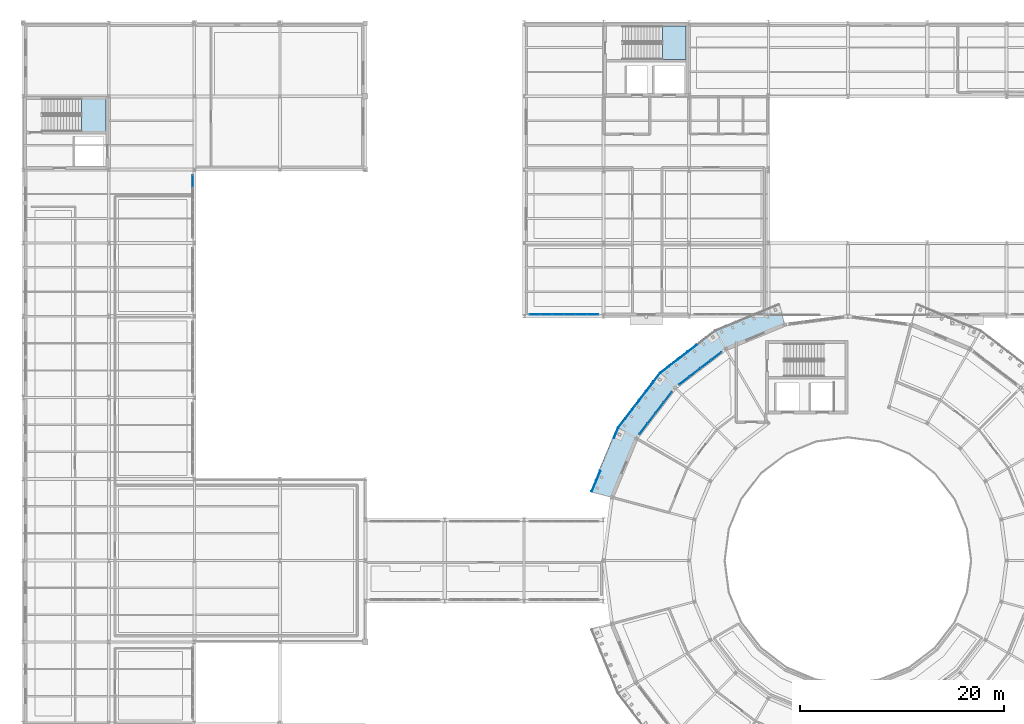
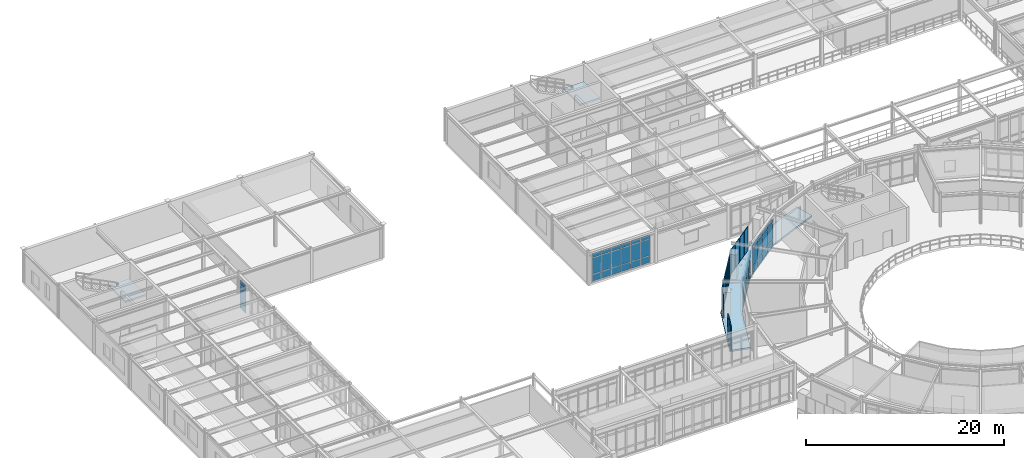
# One storey, part 63 of 90: 58 plates, 3 slabs, 6 elements without a shape of their own.
"""IFC4 building model written with IfcOpenShell, lengths in metres."""

import ifcopenshell
import ifcopenshell.guid

model = None  # the IFC model being written
_history = None  # IfcOwnerHistory: only IFC2X3 demands one
_inside = {}  # id of a spatial element -> (the spatial element, [elements in it])
_under = {}  # id of a project, library or spatial element -> (it, [spatial elements below it])
_declared = {}  # id of a project -> (the project, [libraries it declares])
_typed = {}  # id of a type object -> (the type object, [elements of that type])
_made_of = {}  # id of a material, layer set ... -> (it, [elements and type objects made of it])


def new_model(schema):
    """Start an empty IFC model of exactly this schema.

    Asked for "IFC4X3", IfcOpenShell would pick the latest addendum, in which some entities
    have other attributes; the version numbers below select the first issue.
    IFC2X3 requires an IfcOwnerHistory on every rooted entity: one is made here for all.
    """
    global model, _history
    if schema == "IFC4X3":
        model = ifcopenshell.file(schema_version=(4, 3, 0, 0))
    else:
        model = ifcopenshell.file(schema=schema)
    _inside.clear()
    _under.clear()
    _declared.clear()
    _typed.clear()
    _made_of.clear()
    _history = None
    if model.schema == "IFC2X3":
        org = make("IfcOrganization", Name="unknown")
        user = make(
            "IfcPersonAndOrganization",
            ThePerson=make("IfcPerson", FamilyName="unknown"),
            TheOrganization=org,
        )
        app = make(
            "IfcApplication",
            ApplicationDeveloper=org,
            Version="unknown",
            ApplicationFullName="unknown",
            ApplicationIdentifier="unknown",
        )
        _history = make(
            "IfcOwnerHistory",
            OwningUser=user,
            OwningApplication=app,
            ChangeAction="ADDED",
            CreationDate=0,
        )
    return model


def make(cls, **values):
    """One entity of the class cls with the attributes given. An attribute that is None is left unset."""
    return model.create_entity(
        cls, **{name: value for name, value in values.items() if value is not None}
    )


def rooted(cls, **values):
    """An entity with a GlobalId (a new one), such as an element, a storey or a relation."""
    return make(cls, GlobalId=ifcopenshell.guid.new(), OwnerHistory=_history, **values)


def si_unit(unit_type, name, prefix=None):
    """IfcSIUnit, for example si_unit("LENGTHUNIT", "METRE", prefix="MILLI")."""
    return make("IfcSIUnit", UnitType=unit_type, Prefix=prefix, Name=name)


def derived_unit(unit_type, elements):
    """IfcDerivedUnit: a product of units, each with its exponent."""
    return make(
        "IfcDerivedUnit",
        Elements=[
            make("IfcDerivedUnitElement", Unit=unit, Exponent=power)
            for unit, power in elements
        ],
        UnitType=unit_type,
    )


def assignment(units):
    """IfcUnitAssignment: the units of a project."""
    return None if units is None else make("IfcUnitAssignment", Units=units)


def point(xyz):
    """IfcCartesianPoint."""
    return None if xyz is None else make("IfcCartesianPoint", Coordinates=xyz)


def direction(xyz):
    """IfcDirection."""
    return None if xyz is None else make("IfcDirection", DirectionRatios=xyz)


def frame(location, z_axis=None, x_axis=None):
    """IfcAxis2Placement3D, a coordinate frame: its origin and axes. An axis left out is left unset."""
    return make(
        "IfcAxis2Placement3D",
        Location=point(location),
        Axis=direction(z_axis),
        RefDirection=direction(x_axis),
    )


def frame_2d(location, x_axis=None):
    """IfcAxis2Placement2D, a coordinate frame in the plane: its origin and x axis."""
    return make(
        "IfcAxis2Placement2D", Location=point(location), RefDirection=direction(x_axis)
    )


def origin():
    """The frame at (0, 0, 0) with its axes left unset."""
    return frame((0.0, 0.0, 0.0))


def origin_2d():
    """The frame at (0, 0) in the plane with its x axis left unset."""
    return frame_2d((0.0, 0.0))


def place(relative_to, where):
    """IfcLocalPlacement: puts the frame where relative to a parent placement (None: the world)."""
    return make(
        "IfcLocalPlacement", PlacementRelTo=relative_to, RelativePlacement=where
    )


def context(
    kind, dimensions, precision=None, world=None, true_north=None, identifier=None
):
    """IfcGeometricRepresentationContext, for example the 3D "Model" context."""
    return make(
        "IfcGeometricRepresentationContext",
        ContextIdentifier=identifier,
        ContextType=kind,
        CoordinateSpaceDimension=dimensions,
        Precision=precision,
        WorldCoordinateSystem=world,
        TrueNorth=true_north,
    )


def subcontext(parent, identifier, kind, view, scale=None):
    """IfcGeometricRepresentationSubContext, for example "Body" below "Model"."""
    return make(
        "IfcGeometricRepresentationSubContext",
        ContextIdentifier=identifier,
        ContextType=kind,
        ParentContext=parent,
        TargetScale=scale,
        TargetView=view,
    )


def project(units=None, contexts=None):
    """IfcProject with its units and contexts."""
    return rooted(
        "IfcProject",
        Name="project",
        RepresentationContexts=contexts,
        UnitsInContext=assignment(units),
    )


def spatial(cls, under=None, at=None, **own):
    """A site, building, storey or space (cls), placed at a placement, below another one or the project."""
    s = rooted(cls, ObjectPlacement=at, **own)
    if under is not None:
        _under.setdefault(under.id(), (under, []))[1].append(s)
    return s


def polyline(points):
    """IfcPolyline through the points."""
    return make("IfcPolyline", Points=[point(p) for p in points])


def profile(cls, at=None, kind="AREA", **sizes):
    """A parametric profile (cls). Its sizes go by their IFC names, for example OverallWidth=200.0."""
    return make(cls, ProfileType=kind, Position=at, **sizes)


def rectangle(**sizes):
    """IfcRectangleProfileDef."""
    return profile("IfcRectangleProfileDef", **sizes)


def outline(outer, holes=None, kind="AREA"):
    """IfcArbitraryClosedProfileDef: a profile drawn as a closed curve; with holes, ...WithVoids."""
    if holes is None:
        return make("IfcArbitraryClosedProfileDef", ProfileType=kind, OuterCurve=outer)
    return make(
        "IfcArbitraryProfileDefWithVoids",
        ProfileType=kind,
        OuterCurve=outer,
        InnerCurves=holes,
    )


def extrude(swept, where, along, depth):
    """IfcExtrudedAreaSolid: the profile swept, set in the frame where, extruded along a direction by depth."""
    return make(
        "IfcExtrudedAreaSolid",
        SweptArea=swept,
        Position=where,
        ExtrudedDirection=direction(along),
        Depth=depth,
    )


def shape(context_of_items, identifier, shape_type, items):
    """IfcShapeRepresentation: the items that make up one representation, for example the "Body"."""
    return make(
        "IfcShapeRepresentation",
        ContextOfItems=context_of_items,
        RepresentationIdentifier=identifier,
        RepresentationType=shape_type,
        Items=items,
    )


def material(Name=None, Category=None):
    """IfcMaterial."""
    return make("IfcMaterial", Name=Name, Category=Category)


def layer(
    of_material, thickness, ventilated=None, Name=None, Category=None, Priority=None
):
    """IfcMaterialLayer: one layer of a wall or slab, of a material (None: an air gap)."""
    return make(
        "IfcMaterialLayer",
        Material=of_material,
        LayerThickness=thickness,
        IsVentilated=ventilated,
        Name=Name,
        Category=Category,
        Priority=Priority,
    )


def layer_set(layers, Name=None):
    """IfcMaterialLayerSet."""
    return make("IfcMaterialLayerSet", MaterialLayers=layers, LayerSetName=Name)


def made_of(thing, what):
    """Note that an element or type object is made of a material, layer set ...; save() writes the relation."""
    if what is not None:
        _made_of.setdefault(what.id(), (what, []))[1].append(thing)
    return thing


def type_object(cls, material=None, **own):
    """A type object (cls), such as IfcWallType, which elements share."""
    return made_of(rooted(cls, **own), material)


def element(
    cls,
    number,
    at=None,
    inside=None,
    cuts=None,
    type_object=None,
    material=None,
    context=None,
    identifier="Body",
    shape_type=None,
    held_by="IfcProductDefinitionShape",
    body=None,
    shapes=None,
    **own,
):
    """One element of the class cls, such as IfcWall. Its Tag is "e" and its number.

    at: its placement. inside: the storey or other place that contains it. cuts: it is an
    opening in that element (IfcRelVoidsElement). A single representation is given by context,
    identifier, shape_type and body (its items); several are given by shapes. held_by: the class
    of the entity that holds the representations. save() writes the other relations.
    """
    e = rooted(cls, Tag="e%d" % number, ObjectPlacement=at, **own)
    if body is not None:
        shapes = [shape(context, identifier, shape_type, body)]
    if shapes is not None:
        e.Representation = make(held_by, Representations=shapes)
    if inside is not None:
        _inside.setdefault(inside.id(), (inside, []))[1].append(e)
    if cuts is not None:
        rooted(
            "IfcRelVoidsElement", RelatingBuildingElement=cuts, RelatedOpeningElement=e
        )
    if type_object is not None:
        _typed.setdefault(type_object.id(), (type_object, []))[1].append(e)
    return made_of(e, material)


def aggregate(whole, parts):
    """IfcRelAggregates: a whole, such as a stair, and the parts it consists of."""
    return rooted("IfcRelAggregates", RelatingObject=whole, RelatedObjects=parts)


def save(model, path):
    """Write the relations noted so far, then the file.

    IfcRelAggregates (storeys below a building ...), IfcRelContainedInSpatialStructure (elements
    in a storey), IfcRelDefinesByType, IfcRelAssociatesMaterial and IfcRelDeclares: one each for
    every whole, place, type object, material and project.
    """
    for whole, parts in _under.values():
        aggregate(whole, parts)
    for where, things in _inside.values():
        rooted(
            "IfcRelContainedInSpatialStructure",
            RelatedElements=things,
            RelatingStructure=where,
        )
    for kind, things in _typed.values():
        rooted("IfcRelDefinesByType", RelatedObjects=things, RelatingType=kind)
    for what, things in _made_of.values():
        rooted("IfcRelAssociatesMaterial", RelatedObjects=things, RelatingMaterial=what)
    for by, libraries in _declared.values():
        rooted("IfcRelDeclares", RelatingContext=by, RelatedDefinitions=libraries)
    model.write(path)


model = new_model("IFC4")

# Units and contexts
model_context = context("Model", 3, precision=1e-05, world=origin(), true_north=direction((0.0, 1.0)))
body_context = subcontext(model_context, "Body", "Model", "MODEL_VIEW")
ifc_project = project(units=[si_unit("LENGTHUNIT", "METRE"), si_unit("AREAUNIT", "SQUARE_METRE"), si_unit("VOLUMEUNIT", "CUBIC_METRE"), si_unit("PLANEANGLEUNIT", "RADIAN"), si_unit("MASSUNIT", "GRAM", prefix="KILO"), derived_unit("THERMALTRANSMITTANCEUNIT", [(si_unit("POWERUNIT", "WATT"), 1), (si_unit("AREAUNIT", "SQUARE_METRE"), -1), (si_unit("THERMODYNAMICTEMPERATUREUNIT", "KELVIN"), -1)])], contexts=[model_context])

# Site, building, storey
site_placement = place(None, origin())
site = spatial("IfcSite", under=ifc_project, at=site_placement, CompositionType="ELEMENT")
building_placement = place(site_placement, origin())
building = spatial("IfcBuilding", under=site, at=building_placement, Name="Yasenodar Specialist Clinic", CompositionType="ELEMENT")
storey_placement = place(building_placement, frame((0.0, 0.0, 9.0)))
storey = spatial("IfcBuildingStorey", under=building, at=storey_placement, Name="L02", CompositionType="ELEMENT", Elevation=9.0)

# Curtain wall, plates
ifc_material_1 = material(Name="Bronze Anodized Aluminium and Triple Low-E Glass", Category="aluminium")
ifc_layer_1 = layer(ifc_material_1, 0.1669921875)
ifc_layer_set_1 = layer_set([ifc_layer_1], Name="Bronze Anodized Aluminium and Triple Low-E Glass")
curtain_wall_type_1 = type_object("IfcCurtainWallType", Name="CW-SYS-01", PredefinedType="USERDEFINED", material=ifc_layer_set_1)
curtain_wall_1_placement = place(storey_placement, origin())
curtain_wall_1 = element("IfcCurtainWall", 1, at=curtain_wall_1_placement, inside=storey, type_object=curtain_wall_type_1, Name="L02 Unitised Curtain Wall 032", ObjectType="UNITISED CURTAIN WALL", PredefinedType="USERDEFINED")
ifc_material_2 = material(Name="Triple Low-E Argon Glazing", Category="glass")
ifc_layer_2 = layer(ifc_material_2, 0.028076171875)
ifc_layer_set_2 = layer_set([ifc_layer_2], Name="Triple Low-E Argon Glazing")
plate_type_1 = type_object("IfcPlateType", Name="CW-PAN-1", PredefinedType="CURTAIN_PANEL", material=ifc_layer_set_2)
plate_1_placement = place(storey_placement, frame((60.92041015625, 71.71875, 0.06005859375), z_axis=(0.0, 0.0, 1.0), x_axis=(0.608752021844, 0.793360558574, 0.0)))
plate_1 = element("IfcPlate", 2, at=plate_1_placement, type_object=plate_type_1, Name="CW-01 panel 1.1", PredefinedType="CURTAIN_PANEL", context=body_context, shape_type="SweptSolid", body=[
    extrude(rectangle(XDim=1.236328125, YDim=0.028076171875, at=origin_2d()), origin(), (0.0, 0.0, 1.0), 0.81005859375),
])
plate_2_placement = place(storey_placement, frame((60.92041015625, 71.71875, 0.929931640625), z_axis=(0.0, 0.0, 1.0), x_axis=(0.608752021844, 0.793360558574, 0.0)))
plate_2 = element("IfcPlate", 3, at=plate_2_placement, type_object=plate_type_1, Name="CW-01 panel 1.2", PredefinedType="CURTAIN_PANEL", context=body_context, shape_type="SweptSolid", body=[
    extrude(rectangle(XDim=1.236328125, YDim=0.028076171875, at=origin_2d()), origin(), (0.0, 0.0, 1.0), 1.97802734375),
])
plate_3_placement = place(storey_placement, frame((60.92041015625, 71.71875, 2.9677734375), z_axis=(0.0, 0.0, 1.0), x_axis=(0.608752021844, 0.793360558574, 0.0)))
plate_3 = element("IfcPlate", 4, at=plate_3_placement, type_object=plate_type_1, Name="CW-01 panel 1.3", PredefinedType="CURTAIN_PANEL", context=body_context, shape_type="SweptSolid", body=[
    extrude(rectangle(XDim=1.236328125, YDim=0.028076171875, at=origin_2d()), origin(), (0.0, 0.0, 1.0), 0.510009765625),
])
plate_4_placement = place(storey_placement, frame((61.71875, 72.75927734375, 0.06005859375), z_axis=(0.0, 0.0, 1.0), x_axis=(0.608752021844, 0.793360558574, 0.0)))
plate_4 = element("IfcPlate", 5, at=plate_4_placement, type_object=plate_type_1, Name="CW-01 panel 2.1", PredefinedType="CURTAIN_PANEL", context=body_context, shape_type="SweptSolid", body=[
    extrude(rectangle(XDim=1.266357421875, YDim=0.028076171875, at=origin_2d()), origin(), (0.0, 0.0, 1.0), 0.81005859375),
])
plate_5_placement = place(storey_placement, frame((61.71875, 72.75927734375, 0.929931640625), z_axis=(0.0, 0.0, 1.0), x_axis=(0.608752021844, 0.793360558574, 0.0)))
plate_5 = element("IfcPlate", 6, at=plate_5_placement, type_object=plate_type_1, Name="CW-01 panel 2.2", PredefinedType="CURTAIN_PANEL", context=body_context, shape_type="SweptSolid", body=[
    extrude(rectangle(XDim=1.266357421875, YDim=0.028076171875, at=origin_2d()), origin(), (0.0, 0.0, 1.0), 1.97802734375),
])
plate_6_placement = place(storey_placement, frame((61.71875, 72.75927734375, 2.9677734375), z_axis=(0.0, 0.0, 1.0), x_axis=(0.608752021844, 0.793360558574, 0.0)))
plate_6 = element("IfcPlate", 7, at=plate_6_placement, type_object=plate_type_1, Name="CW-01 panel 2.3", PredefinedType="CURTAIN_PANEL", context=body_context, shape_type="SweptSolid", body=[
    extrude(rectangle(XDim=1.266357421875, YDim=0.028076171875, at=origin_2d()), origin(), (0.0, 0.0, 1.0), 0.510009765625),
])
plate_7_placement = place(storey_placement, frame((62.526123046875, 73.8115234375, 0.06005859375), z_axis=(0.0, 0.0, 1.0), x_axis=(0.608752021844, 0.793360558574, 0.0)))
plate_7 = element("IfcPlate", 8, at=plate_7_placement, type_object=plate_type_1, Name="CW-01 panel 3.1", PredefinedType="CURTAIN_PANEL", context=body_context, shape_type="SweptSolid", body=[
    extrude(rectangle(XDim=1.266357421875, YDim=0.028076171875, at=origin_2d()), origin(), (0.0, 0.0, 1.0), 0.81005859375),
])
plate_8_placement = place(storey_placement, frame((62.526123046875, 73.8115234375, 0.929931640625), z_axis=(0.0, 0.0, 1.0), x_axis=(0.608752021844, 0.793360558574, 0.0)))
plate_8 = element("IfcPlate", 9, at=plate_8_placement, type_object=plate_type_1, Name="CW-01 panel 3.2", PredefinedType="CURTAIN_PANEL", context=body_context, shape_type="SweptSolid", body=[
    extrude(rectangle(XDim=1.266357421875, YDim=0.028076171875, at=origin_2d()), origin(), (0.0, 0.0, 1.0), 1.97802734375),
])
plate_9_placement = place(storey_placement, frame((62.526123046875, 73.8115234375, 2.9677734375), z_axis=(0.0, 0.0, 1.0), x_axis=(0.608752021844, 0.793360558574, 0.0)))
plate_9 = element("IfcPlate", 10, at=plate_9_placement, type_object=plate_type_1, Name="CW-01 panel 3.3", PredefinedType="CURTAIN_PANEL", context=body_context, shape_type="SweptSolid", body=[
    extrude(rectangle(XDim=1.266357421875, YDim=0.028076171875, at=origin_2d()), origin(), (0.0, 0.0, 1.0), 0.510009765625),
])
plate_10_placement = place(storey_placement, frame((63.324462890625, 74.851806640625, 0.06005859375), z_axis=(0.0, 0.0, 1.0), x_axis=(0.608752021844, 0.793360558574, 0.0)))
plate_10 = element("IfcPlate", 11, at=plate_10_placement, type_object=plate_type_1, Name="CW-01 panel 4.1", PredefinedType="CURTAIN_PANEL", context=body_context, shape_type="SweptSolid", body=[
    extrude(rectangle(XDim=1.236328125, YDim=0.028076171875, at=origin_2d()), origin(), (0.0, 0.0, 1.0), 0.81005859375),
])
plate_11_placement = place(storey_placement, frame((63.324462890625, 74.851806640625, 0.929931640625), z_axis=(0.0, 0.0, 1.0), x_axis=(0.608752021844, 0.793360558574, 0.0)))
plate_11 = element("IfcPlate", 12, at=plate_11_placement, type_object=plate_type_1, Name="CW-01 panel 4.2", PredefinedType="CURTAIN_PANEL", context=body_context, shape_type="SweptSolid", body=[
    extrude(rectangle(XDim=1.236328125, YDim=0.028076171875, at=origin_2d()), origin(), (0.0, 0.0, 1.0), 1.97802734375),
])
plate_12_placement = place(storey_placement, frame((63.324462890625, 74.851806640625, 2.9677734375), z_axis=(0.0, 0.0, 1.0), x_axis=(0.608752021844, 0.793360558574, 0.0)))
plate_12 = element("IfcPlate", 13, at=plate_12_placement, type_object=plate_type_1, Name="CW-01 panel 4.3", PredefinedType="CURTAIN_PANEL", context=body_context, shape_type="SweptSolid", body=[
    extrude(rectangle(XDim=1.236328125, YDim=0.028076171875, at=origin_2d()), origin(), (0.0, 0.0, 1.0), 0.510009765625),
])
aggregate(curtain_wall_1, [plate_1, plate_2, plate_3, plate_4, plate_5, plate_6, plate_7, plate_8, plate_9, plate_10, plate_11, plate_12])

ifc_layer_3 = layer(ifc_material_1, 0.215087890625)
ifc_layer_set_3 = layer_set([ifc_layer_3], Name="Bronze Anodized Aluminium and Triple Low-E Glass")
curtain_wall_type_2 = type_object("IfcCurtainWallType", Name="CW-SYS-05", PredefinedType="USERDEFINED", material=ifc_layer_set_3)
curtain_wall_2_placement = place(storey_placement, origin())
curtain_wall_2 = element("IfcCurtainWall", 14, at=curtain_wall_2_placement, inside=storey, type_object=curtain_wall_type_2, Name="L02 Unitised Curtain Wall 157", ObjectType="UNITISED CURTAIN WALL", PredefinedType="USERDEFINED")
ifc_layer_4 = layer(ifc_material_2, 0.033935546875)
ifc_layer_set_4 = layer_set([ifc_layer_4], Name="Triple Low-E Argon Glazing")
plate_type_2 = type_object("IfcPlateType", Name="CW-PAN-2", PredefinedType="CURTAIN_PANEL", material=ifc_layer_set_4)
plate_13_placement = place(storey_placement, frame((55.93505859375, 82.969970703125, 0.06005859375), z_axis=(0.0, 0.0, 1.0), x_axis=(-1.0, 0.0, 0.0)))
plate_13 = element("IfcPlate", 15, at=plate_13_placement, type_object=plate_type_2, Name="CW-05 panel 1.1", PredefinedType="CURTAIN_PANEL", context=body_context, shape_type="SweptSolid", body=[
    extrude(rectangle(XDim=1.050048828125, YDim=0.033935546875, at=origin_2d()), origin(), (0.0, 0.0, 1.0), 0.81005859375),
])
plate_14_placement = place(storey_placement, frame((55.93505859375, 82.969970703125, 0.929931640625), z_axis=(0.0, 0.0, 1.0), x_axis=(-1.0, 0.0, 0.0)))
plate_14 = element("IfcPlate", 16, at=plate_14_placement, type_object=plate_type_2, Name="CW-05 panel 1.2", PredefinedType="CURTAIN_PANEL", context=body_context, shape_type="SweptSolid", body=[
    extrude(rectangle(XDim=1.050048828125, YDim=0.033935546875, at=origin_2d()), origin(), (0.0, 0.0, 1.0), 1.97802734375),
])
plate_15_placement = place(storey_placement, frame((55.93505859375, 82.969970703125, 2.9677734375), z_axis=(0.0, 0.0, 1.0), x_axis=(-1.0, 0.0, 0.0)))
plate_15 = element("IfcPlate", 17, at=plate_15_placement, type_object=plate_type_2, Name="CW-05 panel 1.3", PredefinedType="CURTAIN_PANEL", context=body_context, shape_type="SweptSolid", body=[
    extrude(rectangle(XDim=1.050048828125, YDim=0.033935546875, at=origin_2d()), origin(), (0.0, 0.0, 1.0), 0.510009765625),
])
plate_16_placement = place(storey_placement, frame((54.81005859375, 82.969970703125, 0.06005859375), z_axis=(0.0, 0.0, 1.0), x_axis=(-1.0, 0.0, 0.0)))
plate_16 = element("IfcPlate", 18, at=plate_16_placement, type_object=plate_type_2, Name="CW-05 panel 2.1", PredefinedType="CURTAIN_PANEL", context=body_context, shape_type="SweptSolid", body=[
    extrude(rectangle(XDim=1.080078125, YDim=0.033935546875, at=origin_2d()), origin(), (0.0, 0.0, 1.0), 0.81005859375),
])
plate_17_placement = place(storey_placement, frame((54.81005859375, 82.969970703125, 0.929931640625), z_axis=(0.0, 0.0, 1.0), x_axis=(-1.0, 0.0, 0.0)))
plate_17 = element("IfcPlate", 19, at=plate_17_placement, type_object=plate_type_2, Name="CW-05 panel 2.2", PredefinedType="CURTAIN_PANEL", context=body_context, shape_type="SweptSolid", body=[
    extrude(rectangle(XDim=1.080078125, YDim=0.033935546875, at=origin_2d()), origin(), (0.0, 0.0, 1.0), 1.97802734375),
])
plate_18_placement = place(storey_placement, frame((54.81005859375, 82.969970703125, 2.9677734375), z_axis=(0.0, 0.0, 1.0), x_axis=(-1.0, 0.0, 0.0)))
plate_18 = element("IfcPlate", 20, at=plate_18_placement, type_object=plate_type_2, Name="CW-05 panel 2.3", PredefinedType="CURTAIN_PANEL", context=body_context, shape_type="SweptSolid", body=[
    extrude(rectangle(XDim=1.080078125, YDim=0.033935546875, at=origin_2d()), origin(), (0.0, 0.0, 1.0), 0.510009765625),
])
plate_19_placement = place(storey_placement, frame((53.669921875, 82.969970703125, 0.06005859375), z_axis=(0.0, 0.0, 1.0), x_axis=(-1.0, 0.0, 0.0)))
plate_19 = element("IfcPlate", 21, at=plate_19_placement, type_object=plate_type_2, Name="CW-05 panel 3.1", PredefinedType="CURTAIN_PANEL", context=body_context, shape_type="SweptSolid", body=[
    extrude(rectangle(XDim=1.080078125, YDim=0.033935546875, at=origin_2d()), origin(), (0.0, 0.0, 1.0), 0.81005859375),
])
plate_20_placement = place(storey_placement, frame((53.669921875, 82.969970703125, 0.929931640625), z_axis=(0.0, 0.0, 1.0), x_axis=(-1.0, 0.0, 0.0)))
plate_20 = element("IfcPlate", 22, at=plate_20_placement, type_object=plate_type_2, Name="CW-05 panel 3.2", PredefinedType="CURTAIN_PANEL", context=body_context, shape_type="SweptSolid", body=[
    extrude(rectangle(XDim=1.080078125, YDim=0.033935546875, at=origin_2d()), origin(), (0.0, 0.0, 1.0), 1.97802734375),
])
plate_21_placement = place(storey_placement, frame((53.669921875, 82.969970703125, 2.9677734375), z_axis=(0.0, 0.0, 1.0), x_axis=(-1.0, 0.0, 0.0)))
plate_21 = element("IfcPlate", 23, at=plate_21_placement, type_object=plate_type_2, Name="CW-05 panel 3.3", PredefinedType="CURTAIN_PANEL", context=body_context, shape_type="SweptSolid", body=[
    extrude(rectangle(XDim=1.080078125, YDim=0.033935546875, at=origin_2d()), origin(), (0.0, 0.0, 1.0), 0.510009765625),
])
plate_22_placement = place(storey_placement, frame((52.530029296875, 82.969970703125, 0.06005859375), z_axis=(0.0, 0.0, 1.0), x_axis=(-1.0, 0.0, 0.0)))
plate_22 = element("IfcPlate", 24, at=plate_22_placement, type_object=plate_type_2, Name="CW-05 panel 4.1", PredefinedType="CURTAIN_PANEL", context=body_context, shape_type="SweptSolid", body=[
    extrude(rectangle(XDim=1.080078125, YDim=0.033935546875, at=origin_2d()), origin(), (0.0, 0.0, 1.0), 0.81005859375),
])
plate_23_placement = place(storey_placement, frame((52.530029296875, 82.969970703125, 0.929931640625), z_axis=(0.0, 0.0, 1.0), x_axis=(-1.0, 0.0, 0.0)))
plate_23 = element("IfcPlate", 25, at=plate_23_placement, type_object=plate_type_2, Name="CW-05 panel 4.2", PredefinedType="CURTAIN_PANEL", context=body_context, shape_type="SweptSolid", body=[
    extrude(rectangle(XDim=1.080078125, YDim=0.033935546875, at=origin_2d()), origin(), (0.0, 0.0, 1.0), 1.97802734375),
])
plate_24_placement = place(storey_placement, frame((52.530029296875, 82.969970703125, 2.9677734375), z_axis=(0.0, 0.0, 1.0), x_axis=(-1.0, 0.0, 0.0)))
plate_24 = element("IfcPlate", 26, at=plate_24_placement, type_object=plate_type_2, Name="CW-05 panel 4.3", PredefinedType="CURTAIN_PANEL", context=body_context, shape_type="SweptSolid", body=[
    extrude(rectangle(XDim=1.080078125, YDim=0.033935546875, at=origin_2d()), origin(), (0.0, 0.0, 1.0), 0.510009765625),
])
plate_25_placement = place(storey_placement, frame((51.389892578125, 82.969970703125, 0.06005859375), z_axis=(0.0, 0.0, 1.0), x_axis=(-1.0, 0.0, 0.0)))
plate_25 = element("IfcPlate", 27, at=plate_25_placement, type_object=plate_type_2, Name="CW-05 panel 5.1", PredefinedType="CURTAIN_PANEL", context=body_context, shape_type="SweptSolid", body=[
    extrude(rectangle(XDim=1.080078125, YDim=0.033935546875, at=origin_2d()), origin(), (0.0, 0.0, 1.0), 0.81005859375),
])
plate_26_placement = place(storey_placement, frame((51.389892578125, 82.969970703125, 0.929931640625), z_axis=(0.0, 0.0, 1.0), x_axis=(-1.0, 0.0, 0.0)))
plate_26 = element("IfcPlate", 28, at=plate_26_placement, type_object=plate_type_2, Name="CW-05 panel 5.2", PredefinedType="CURTAIN_PANEL", context=body_context, shape_type="SweptSolid", body=[
    extrude(rectangle(XDim=1.080078125, YDim=0.033935546875, at=origin_2d()), origin(), (0.0, 0.0, 1.0), 1.97802734375),
])
plate_27_placement = place(storey_placement, frame((51.389892578125, 82.969970703125, 2.9677734375), z_axis=(0.0, 0.0, 1.0), x_axis=(-1.0, 0.0, 0.0)))
plate_27 = element("IfcPlate", 29, at=plate_27_placement, type_object=plate_type_2, Name="CW-05 panel 5.3", PredefinedType="CURTAIN_PANEL", context=body_context, shape_type="SweptSolid", body=[
    extrude(rectangle(XDim=1.080078125, YDim=0.033935546875, at=origin_2d()), origin(), (0.0, 0.0, 1.0), 0.510009765625),
])
plate_28_placement = place(storey_placement, frame((50.264892578125, 82.969970703125, 0.06005859375), z_axis=(0.0, 0.0, 1.0), x_axis=(-1.0, 0.0, 0.0)))
plate_28 = element("IfcPlate", 30, at=plate_28_placement, type_object=plate_type_2, Name="CW-05 panel 6.1", PredefinedType="CURTAIN_PANEL", context=body_context, shape_type="SweptSolid", body=[
    extrude(rectangle(XDim=1.050048828125, YDim=0.033935546875, at=origin_2d()), origin(), (0.0, 0.0, 1.0), 0.81005859375),
])
plate_29_placement = place(storey_placement, frame((50.264892578125, 82.969970703125, 0.929931640625), z_axis=(0.0, 0.0, 1.0), x_axis=(-1.0, 0.0, 0.0)))
plate_29 = element("IfcPlate", 31, at=plate_29_placement, type_object=plate_type_2, Name="CW-05 panel 6.2", PredefinedType="CURTAIN_PANEL", context=body_context, shape_type="SweptSolid", body=[
    extrude(rectangle(XDim=1.050048828125, YDim=0.033935546875, at=origin_2d()), origin(), (0.0, 0.0, 1.0), 1.97802734375),
])
plate_30_placement = place(storey_placement, frame((50.264892578125, 82.969970703125, 2.9677734375), z_axis=(0.0, 0.0, 1.0), x_axis=(-1.0, 0.0, 0.0)))
plate_30 = element("IfcPlate", 32, at=plate_30_placement, type_object=plate_type_2, Name="CW-05 panel 6.3", PredefinedType="CURTAIN_PANEL", context=body_context, shape_type="SweptSolid", body=[
    extrude(rectangle(XDim=1.050048828125, YDim=0.033935546875, at=origin_2d()), origin(), (0.0, 0.0, 1.0), 0.510009765625),
])
aggregate(curtain_wall_2, [plate_13, plate_14, plate_15, plate_16, plate_17, plate_18, plate_19, plate_20, plate_21, plate_22, plate_23, plate_24, plate_25, plate_26, plate_27, plate_28, plate_29, plate_30])

ifc_layer_5 = layer(ifc_material_1, 0.202880859375)
ifc_layer_set_5 = layer_set([ifc_layer_5], Name="Bronze Anodized Aluminium and Triple Low-E Glass")
curtain_wall_type_3 = type_object("IfcCurtainWallType", Name="CW-SYS-04", PredefinedType="USERDEFINED", material=ifc_layer_set_5)
curtain_wall_3_placement = place(storey_placement, origin())
curtain_wall_3 = element("IfcCurtainWall", 33, at=curtain_wall_3_placement, inside=storey, type_object=curtain_wall_type_3, Name="L02 Unitised Curtain Wall 126", ObjectType="UNITISED CURTAIN WALL", PredefinedType="USERDEFINED")
ifc_layer_6 = layer(ifc_material_2, 0.0400390625)
ifc_layer_set_6 = layer_set([ifc_layer_6], Name="Triple Low-E Argon Glazing")
plate_type_3 = type_object("IfcPlateType", Name="CW-PAN-3", PredefinedType="CURTAIN_PANEL", material=ifc_layer_set_6)
plate_31_placement = place(storey_placement, frame((16.64990234375, 96.0810546875, 0.06005859375), z_axis=(0.0, 0.0, 1.0), x_axis=(0.0, -1.0, 0.0)))
plate_31 = element("IfcPlate", 34, at=plate_31_placement, type_object=plate_type_3, Name="CW-04 panel 1.1", PredefinedType="CURTAIN_PANEL", context=body_context, shape_type="SweptSolid", body=[
    extrude(rectangle(XDim=1.157958984375, YDim=0.0400390625, at=origin_2d()), origin(), (0.0, 0.0, 1.0), 0.81005859375),
])
plate_32_placement = place(storey_placement, frame((16.64990234375, 96.0810546875, 0.93017578125), z_axis=(0.0, 0.0, 1.0), x_axis=(0.0, -1.0, 0.0)))
plate_32 = element("IfcPlate", 35, at=plate_32_placement, type_object=plate_type_3, Name="CW-04 panel 1.2", PredefinedType="CURTAIN_PANEL", context=body_context, shape_type="SweptSolid", body=[
    extrude(rectangle(XDim=1.157958984375, YDim=0.0400390625, at=origin_2d()), origin(), (0.0, 0.0, 1.0), 2.028076171875),
])
plate_33_placement = place(storey_placement, frame((16.64990234375, 96.0810546875, 3.01806640625), z_axis=(0.0, 0.0, 1.0), x_axis=(0.0, -1.0, 0.0)))
plate_33 = element("IfcPlate", 36, at=plate_33_placement, type_object=plate_type_3, Name="CW-04 panel 1.3", PredefinedType="CURTAIN_PANEL", context=body_context, shape_type="SweptSolid", body=[
    extrude(rectangle(XDim=1.157958984375, YDim=0.0400390625, at=origin_2d()), origin(), (0.0, 0.0, 1.0), 0.510009765625),
])
aggregate(curtain_wall_3, [plate_31, plate_32, plate_33])

curtain_wall_4_placement = place(storey_placement, origin())
curtain_wall_4 = element("IfcCurtainWall", 37, at=curtain_wall_4_placement, inside=storey, type_object=curtain_wall_type_1, Name="L02 Unitised Curtain Wall 031", ObjectType="UNITISED CURTAIN WALL", PredefinedType="USERDEFINED")
ifc_layer_7 = layer(ifc_material_2, 0.0458984375)
ifc_layer_set_7 = layer_set([ifc_layer_7], Name="Triple Low-E Argon Glazing")
plate_type_4 = type_object("IfcPlateType", Name="CW-PAN-4", PredefinedType="CURTAIN_PANEL", material=ifc_layer_set_7)
plate_34_placement = place(storey_placement, frame((64.9482421875, 76.4755859375, 0.06005859375), z_axis=(0.0, 0.0, 1.0), x_axis=(0.793360558574, 0.608752021844, 0.0)))
plate_34 = element("IfcPlate", 38, at=plate_34_placement, type_object=plate_type_4, Name="CW-01 panel 1.1", PredefinedType="CURTAIN_PANEL", context=body_context, shape_type="SweptSolid", body=[
    extrude(rectangle(XDim=1.236328125, YDim=0.0458984375, at=origin_2d()), origin(), (0.0, 0.0, 1.0), 0.81005859375),
])
plate_35_placement = place(storey_placement, frame((64.9482421875, 76.4755859375, 0.929931640625), z_axis=(0.0, 0.0, 1.0), x_axis=(0.793360558574, 0.608752021844, 0.0)))
plate_35 = element("IfcPlate", 39, at=plate_35_placement, type_object=plate_type_4, Name="CW-01 panel 1.2", PredefinedType="CURTAIN_PANEL", context=body_context, shape_type="SweptSolid", body=[
    extrude(rectangle(XDim=1.236328125, YDim=0.0458984375, at=origin_2d()), origin(), (0.0, 0.0, 1.0), 1.97802734375),
])
plate_36_placement = place(storey_placement, frame((64.9482421875, 76.4755859375, 2.9677734375), z_axis=(0.0, 0.0, 1.0), x_axis=(0.793360558574, 0.608752021844, 0.0)))
plate_36 = element("IfcPlate", 40, at=plate_36_placement, type_object=plate_type_4, Name="CW-01 panel 1.3", PredefinedType="CURTAIN_PANEL", context=body_context, shape_type="SweptSolid", body=[
    extrude(rectangle(XDim=1.236328125, YDim=0.0458984375, at=origin_2d()), origin(), (0.0, 0.0, 1.0), 0.510009765625),
])
plate_37_placement = place(storey_placement, frame((65.988525390625, 77.27392578125, 0.06005859375), z_axis=(0.0, 0.0, 1.0), x_axis=(0.793360558574, 0.608752021844, 0.0)))
plate_37 = element("IfcPlate", 41, at=plate_37_placement, type_object=plate_type_4, Name="CW-01 panel 2.1", PredefinedType="CURTAIN_PANEL", context=body_context, shape_type="SweptSolid", body=[
    extrude(rectangle(XDim=1.266357421875, YDim=0.0458984375, at=origin_2d()), origin(), (0.0, 0.0, 1.0), 0.81005859375),
])
plate_38_placement = place(storey_placement, frame((65.988525390625, 77.27392578125, 0.929931640625), z_axis=(0.0, 0.0, 1.0), x_axis=(0.793360558574, 0.608752021844, 0.0)))
plate_38 = element("IfcPlate", 42, at=plate_38_placement, type_object=plate_type_4, Name="CW-01 panel 2.2", PredefinedType="CURTAIN_PANEL", context=body_context, shape_type="SweptSolid", body=[
    extrude(rectangle(XDim=1.266357421875, YDim=0.0458984375, at=origin_2d()), origin(), (0.0, 0.0, 1.0), 1.97802734375),
])
plate_39_placement = place(storey_placement, frame((65.988525390625, 77.27392578125, 2.9677734375), z_axis=(0.0, 0.0, 1.0), x_axis=(0.793360558574, 0.608752021844, 0.0)))
plate_39 = element("IfcPlate", 43, at=plate_39_placement, type_object=plate_type_4, Name="CW-01 panel 2.3", PredefinedType="CURTAIN_PANEL", context=body_context, shape_type="SweptSolid", body=[
    extrude(rectangle(XDim=1.266357421875, YDim=0.0458984375, at=origin_2d()), origin(), (0.0, 0.0, 1.0), 0.510009765625),
])
plate_40_placement = place(storey_placement, frame((67.040771484375, 78.081298828125, 0.06005859375), z_axis=(0.0, 0.0, 1.0), x_axis=(0.793360558574, 0.608752021844, 0.0)))
plate_40 = element("IfcPlate", 44, at=plate_40_placement, type_object=plate_type_4, Name="CW-01 panel 3.1", PredefinedType="CURTAIN_PANEL", context=body_context, shape_type="SweptSolid", body=[
    extrude(rectangle(XDim=1.266357421875, YDim=0.0458984375, at=origin_2d()), origin(), (0.0, 0.0, 1.0), 0.81005859375),
])
plate_41_placement = place(storey_placement, frame((67.040771484375, 78.081298828125, 0.929931640625), z_axis=(0.0, 0.0, 1.0), x_axis=(0.793360558574, 0.608752021844, 0.0)))
plate_41 = element("IfcPlate", 45, at=plate_41_placement, type_object=plate_type_4, Name="CW-01 panel 3.2", PredefinedType="CURTAIN_PANEL", context=body_context, shape_type="SweptSolid", body=[
    extrude(rectangle(XDim=1.266357421875, YDim=0.0458984375, at=origin_2d()), origin(), (0.0, 0.0, 1.0), 1.97802734375),
])
plate_42_placement = place(storey_placement, frame((67.040771484375, 78.081298828125, 2.9677734375), z_axis=(0.0, 0.0, 1.0), x_axis=(0.793360558574, 0.608752021844, 0.0)))
plate_42 = element("IfcPlate", 46, at=plate_42_placement, type_object=plate_type_4, Name="CW-01 panel 3.3", PredefinedType="CURTAIN_PANEL", context=body_context, shape_type="SweptSolid", body=[
    extrude(rectangle(XDim=1.266357421875, YDim=0.0458984375, at=origin_2d()), origin(), (0.0, 0.0, 1.0), 0.510009765625),
])
plate_43_placement = place(storey_placement, frame((68.0810546875, 78.879638671875, 0.06005859375), z_axis=(0.0, 0.0, 1.0), x_axis=(0.793360558574, 0.608752021844, 0.0)))
plate_43 = element("IfcPlate", 47, at=plate_43_placement, type_object=plate_type_4, Name="CW-01 panel 4.1", PredefinedType="CURTAIN_PANEL", context=body_context, shape_type="SweptSolid", body=[
    extrude(rectangle(XDim=1.236328125, YDim=0.0458984375, at=origin_2d()), origin(), (0.0, 0.0, 1.0), 0.81005859375),
])
plate_44_placement = place(storey_placement, frame((68.0810546875, 78.879638671875, 0.929931640625), z_axis=(0.0, 0.0, 1.0), x_axis=(0.793360558574, 0.608752021844, 0.0)))
plate_44 = element("IfcPlate", 48, at=plate_44_placement, type_object=plate_type_4, Name="CW-01 panel 4.2", PredefinedType="CURTAIN_PANEL", context=body_context, shape_type="SweptSolid", body=[
    extrude(rectangle(XDim=1.236328125, YDim=0.0458984375, at=origin_2d()), origin(), (0.0, 0.0, 1.0), 1.97802734375),
])
plate_45_placement = place(storey_placement, frame((68.0810546875, 78.879638671875, 2.9677734375), z_axis=(0.0, 0.0, 1.0), x_axis=(0.793360558574, 0.608752021844, 0.0)))
plate_45 = element("IfcPlate", 49, at=plate_45_placement, type_object=plate_type_4, Name="CW-01 panel 4.3", PredefinedType="CURTAIN_PANEL", context=body_context, shape_type="SweptSolid", body=[
    extrude(rectangle(XDim=1.236328125, YDim=0.0458984375, at=origin_2d()), origin(), (0.0, 0.0, 1.0), 0.510009765625),
])
aggregate(curtain_wall_4, [plate_34, plate_35, plate_36, plate_37, plate_38, plate_39, plate_40, plate_41, plate_42, plate_43, plate_44, plate_45])

# Plates
ifc_material_3 = material(Name="Thermally Modified Larch and Bronze Girih Jali Screen")
ifc_layer_8 = layer(ifc_material_3, 0.06494140625)
ifc_layer_set_8 = layer_set([ifc_layer_8], Name="Thermally Modified Larch and Bronze Girih Jali Screen")
plate_type_5 = type_object("IfcPlateType", Name="PL-JALI-850", PredefinedType="USERDEFINED", material=ifc_layer_set_8)
for number, where, z_axis, x_axis, name in (
    (50, (65.724365234375, 79.64404296875, 0.0048828125), (0.0, 0.0, 1.0), (-0.793351200869, -0.608764217148, 0.0), "L02 Sliding Timber-Bronze Jali Shutter Screen 0144"),
    (51, (64.81982421875, 78.949951171875, 0.0048828125), (0.0, 0.0, 1.0), (-0.793351200869, -0.608764217148, 0.0), "L02 Sliding Timber-Bronze Jali Shutter Screen 0145"),
    (52, (63.91552734375, 78.256103515625, 0.0048828125), (0.0, 0.0, 1.0), (-0.793351200869, -0.608764217148, 0.0), "L02 Sliding Timber-Bronze Jali Shutter Screen 0146"),
    (53, (63.01123046875, 77.56201171875, 0.0048828125), (0.0, 0.0, 1.0), (-0.793351200869, -0.608764217148, 0.0), "L02 Sliding Timber-Bronze Jali Shutter Screen 0147"),
    (54, (62.23779296875, 76.788818359375, 0.0048828125), (0.0, 0.0, 1.0), (-0.608764217148, -0.793351200869, 0.0), "L02 Sliding Timber-Bronze Jali Shutter Screen 0148"),
    (55, (61.5439453125, 75.884521484375, 0.0048828125), (0.0, 0.0, 1.0), (-0.608764217148, -0.793351200869, 0.0), "L02 Sliding Timber-Bronze Jali Shutter Screen 0149"),
    (56, (60.85009765625, 74.97998046875, 0.0048828125), (0.0, 0.0, 1.0), (-0.608764217148, -0.793351200869, 0.0), "L02 Sliding Timber-Bronze Jali Shutter Screen 0150"),
    (57, (60.156005859375, 74.07568359375, 0.0048828125), (0.0, 0.0, 1.0), (-0.608764217148, -0.793351200869, 0.0), "L02 Sliding Timber-Bronze Jali Shutter Screen 0151"),
    (58, (59.462158203125, 73.17138671875, 0.0048828125), (0.0, 0.0, 1.0), (-0.608764217148, -0.793351200869, 0.0), "L02 Sliding Timber-Bronze Jali Shutter Screen 0152"),
    (59, (58.76806640625, 72.26708984375, 0.0048828125), (0.0, 0.0, 1.0), (-0.608764217148, -0.793351200869, 0.0), "L02 Sliding Timber-Bronze Jali Shutter Screen 0153"),
    (60, (58.22119140625, 71.31982421875, 0.0048828125), (0.0, 0.0, 1.0), (-0.382686667195, -0.923878192594, 0.0), "L02 Sliding Timber-Bronze Jali Shutter Screen 0154"),
    (61, (56.476318359375, 67.107177734375, 0.0048828125), (0.0, 0.0, 1.0), (-0.382686667195, -0.923878192594, 0.0), "L02 Sliding Timber-Bronze Jali Shutter Screen 0155"),
    (62, (56.040283203125, 66.05419921875, 0.0048828125), (0.0, 0.0, 1.0), (-0.382686667195, -0.923878192594, 0.0), "L02 Sliding Timber-Bronze Jali Shutter Screen 0156"),
):
    element("IfcPlate", number, at=place(storey_placement, frame(where, z_axis=z_axis, x_axis=x_axis)), inside=storey, type_object=plate_type_5, Name=name, ObjectType="SCREEN_PANEL", PredefinedType="USERDEFINED", context=body_context, shape_type="SweptSolid", body=[
        extrude(rectangle(XDim=1.0400390625, YDim=0.06494140625, at=origin_2d()), origin(), (0.0, 0.0, 1.0), 2.949951171875),
    ])

# Slab
ifc_material_4 = material(Name="Concrete C30/37", Category="concrete")
ifc_layer_9 = layer(ifc_material_4, 0.195068359375)
ifc_layer_set_9 = layer_set([ifc_layer_9], Name="Concrete C30/37")
slab_type_1 = type_object("IfcSlabType", Name="SLB-BALC-195", PredefinedType="FLOOR", material=ifc_layer_set_9)
slab_1_placement = place(storey_placement, frame((0.0, 0.0, -0.195068359375)))
element("IfcSlab", 63, at=slab_1_placement, inside=storey, type_object=slab_type_1, Name="L02 Drum V1 Balcony Sector 2", PredefinedType="FLOOR", context=body_context, shape_type="SweptSolid", body=[
    extrude(outline(polyline([(55.692626953125, 65.5810546875), (58.31005859375, 71.89990234375), (62.473876953125, 77.326171875), (67.89990234375, 81.489990234375), (74.218994140625, 84.107421875), (74.784423828125, 81.996826171875), (68.992431640625, 79.59765625), (64.018798828125, 75.78125), (60.202392578125, 70.8076171875), (57.80322265625, 65.015625), (55.692626953125, 65.5810546875)])), origin(), (0.0, 0.0, 1.0), 0.195068359375),
])

# Stair, slab
stair_type_1 = type_object("IfcStairType", Name="ST-DOG-C2-28", PredefinedType="HALF_TURN_STAIR", material=ifc_material_4)
stair_1_placement = place(storey_placement, origin())
stair_1 = element("IfcStair", 64, at=stair_1_placement, inside=storey, type_object=stair_type_1, Name="L02 Core C2 Exit Stair ST-02", PredefinedType="HALF_TURN_STAIR")
ifc_layer_10 = layer(ifc_material_4, 0.199951171875)
ifc_layer_set_10 = layer_set([ifc_layer_10], Name="Concrete C30/37")
slab_type_2 = type_object("IfcSlabType", Name="SLB-LND-200", PredefinedType="LANDING", material=ifc_layer_set_10)
slab_2_placement = place(storey_placement, frame((0.0, 0.0, 1.89990234375)))
slab_2 = element("IfcSlab", 65, at=slab_2_placement, type_object=slab_type_2, Name="ST-02 landing 1", PredefinedType="LANDING", context=body_context, shape_type="SweptSolid", body=[
    extrude(outline(polyline([(5.739990234375, 100.9599609375), (8.1201171875, 100.9599609375), (8.1201171875, 104.199951171875), (5.739990234375, 104.199951171875), (5.739990234375, 100.9599609375)])), origin(), (0.0, 0.0, 1.0), 0.2001953125),
])
aggregate(stair_1, [slab_2])

stair_type_2 = type_object("IfcStairType", Name="ST-DOG-C4-28", PredefinedType="HALF_TURN_STAIR", material=ifc_material_4)
stair_2_placement = place(storey_placement, origin())
stair_2 = element("IfcStair", 66, at=stair_2_placement, inside=storey, type_object=stair_type_2, Name="L02 Core C4 Exit Stair ST-04", PredefinedType="HALF_TURN_STAIR")
slab_3_placement = place(storey_placement, frame((0.0, 0.0, 1.89990234375)))
slab_3 = element("IfcSlab", 67, at=slab_3_placement, type_object=slab_type_2, Name="ST-04 landing 1", PredefinedType="LANDING", context=body_context, shape_type="SweptSolid", body=[
    extrude(outline(polyline([(62.77001953125, 108.010009765625), (65.1201171875, 108.010009765625), (65.1201171875, 111.31005859375), (62.77001953125, 111.31005859375), (62.77001953125, 108.010009765625)])), origin(), (0.0, 0.0, 1.0), 0.2001953125),
])
aggregate(stair_2, [slab_3])

save(model, "model.ifc")
